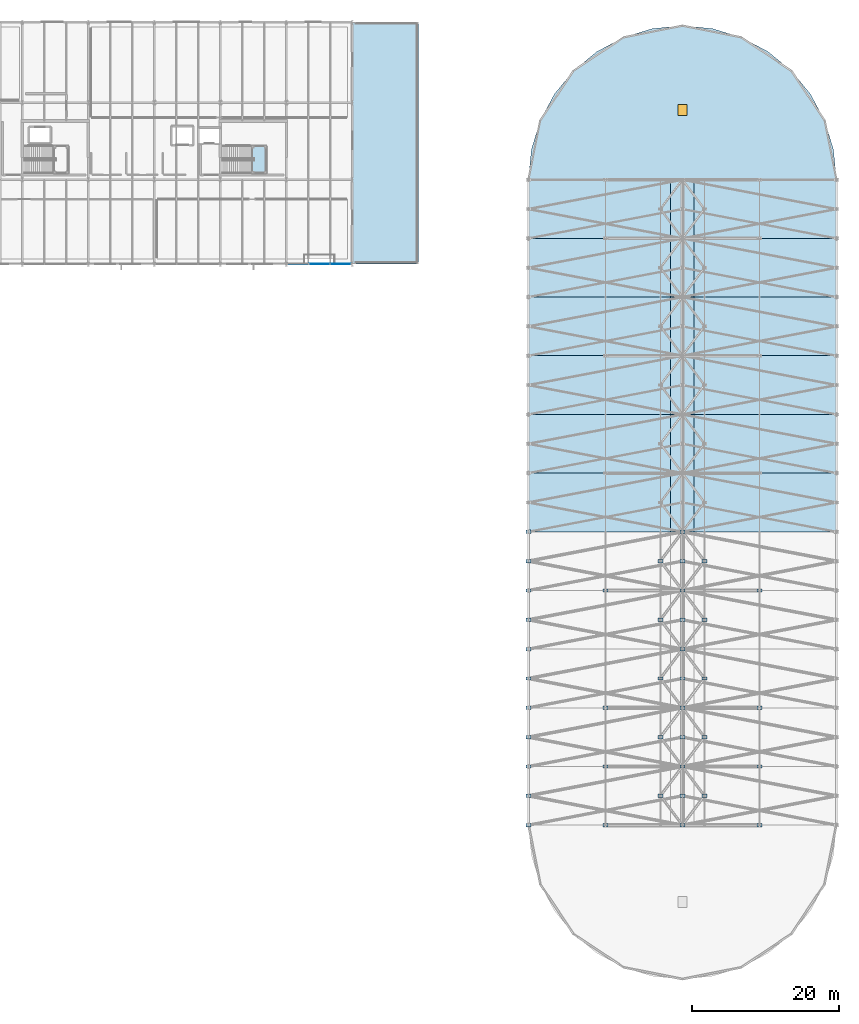
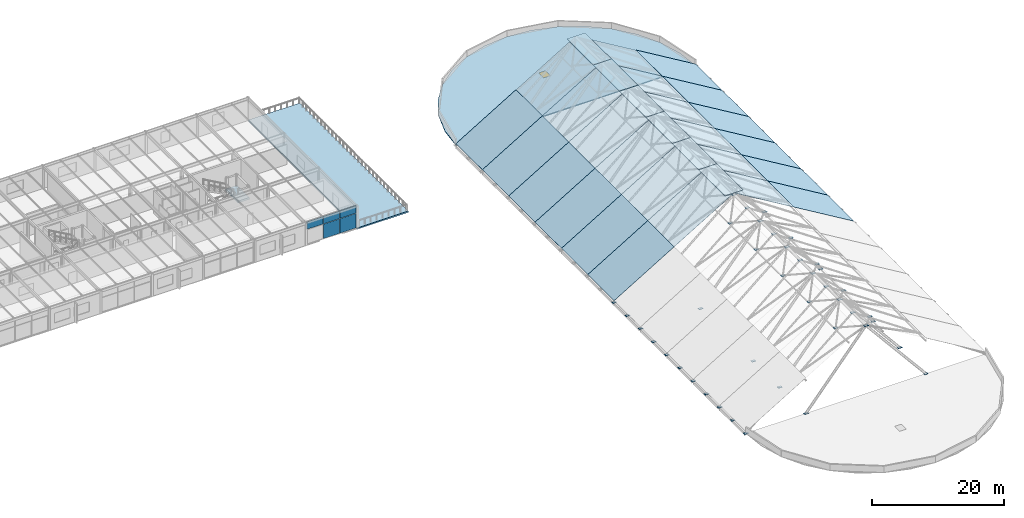
# One storey, part 15 of 44: 75 plates, 3 slabs, 1 window, 1 opening, 2 elements without a shape of their own.
"""IFC4 building model written with IfcOpenShell, lengths in metres."""

from ifc_helpers import new_model, si_unit, direction, frame, origin, origin_2d, place, context, subcontext, project, spatial, polyline, rectangle, outline, extrude, material, layer, layer_set, type_object, element, fill, aggregate, save


model = new_model("IFC4")

# Units and contexts
model_context = context("Model", 3, precision=1e-05, world=origin(), true_north=direction((0.0, 1.0)))
body_context = subcontext(model_context, "Body", "Model", "MODEL_VIEW")
ifc_project = project(units=[si_unit("LENGTHUNIT", "METRE"), si_unit("AREAUNIT", "SQUARE_METRE"), si_unit("VOLUMEUNIT", "CUBIC_METRE"), si_unit("PLANEANGLEUNIT", "RADIAN"), si_unit("MASSUNIT", "GRAM", prefix="KILO")], contexts=[model_context])

# Site, building, storey
site_placement = place(None, origin())
site = spatial("IfcSite", under=ifc_project, at=site_placement, CompositionType="ELEMENT")
building_placement = place(site_placement, origin())
building = spatial("IfcBuilding", under=site, at=building_placement, Name="Marlcrest Central Station", CompositionType="ELEMENT")
storey_placement = place(building_placement, frame((0.0, 0.0, 19.5)))
storey = spatial("IfcBuildingStorey", under=building, at=storey_placement, Name="L04", CompositionType="ELEMENT", Elevation=19.5)

# Curtain wall, plates
ifc_material_1 = material(Name="Anodised aluminium and hurricane laminated glass", Category="aluminium")
ifc_layer_1 = layer(ifc_material_1, 0.219970703125, Name="CW-U1")
ifc_layer_set_1 = layer_set([ifc_layer_1], Name="Anodised aluminium and hurricane laminated glass")
curtain_wall_type = type_object("IfcCurtainWallType", Name="CW-U1", PredefinedType="USERDEFINED", material=ifc_layer_set_1)
curtain_wall_placement = place(storey_placement, origin())
curtain_wall = element("IfcCurtainWall", 1, at=curtain_wall_placement, inside=storey, type_object=curtain_wall_type, Name="cw-L04-0170", ObjectType="UNITISED_CURTAIN_WALL", PredefinedType="USERDEFINED")
ifc_material_2 = material(Name="Acoustic triple-glazed solar-control glass", Category="glass")
ifc_layer_2 = layer(ifc_material_2, 0.0439453125, Name="CP-03")
ifc_layer_set_2 = layer_set([ifc_layer_2], Name="Acoustic triple-glazed solar-control glass")
plate_type_1 = type_object("IfcPlateType", Name="CP-03", PredefinedType="CURTAIN_PANEL", material=ifc_layer_set_2)
plate_1_placement = place(storey_placement, frame((61.39990234375, 99.030029296875, 0.080078125), z_axis=(0.0, 0.0, 1.0), x_axis=(-1.0, 0.0, 0.0)))
plate_1 = element("IfcPlate", 2, at=plate_1_placement, type_object=plate_type_1, Name="cw-L04-0170-cp-lo-0", PredefinedType="CURTAIN_PANEL", context=body_context, shape_type="SweptSolid", body=[
    extrude(rectangle(XDim=2.823974609375, YDim=0.0439453125, at=origin_2d()), origin(), (0.0, 0.0, 1.0), 2.675048828125),
])
plate_2_placement = place(storey_placement, frame((58.5, 99.030029296875, 0.080078125), z_axis=(0.0, 0.0, 1.0), x_axis=(-1.0, 0.0, 0.0)))
plate_2 = element("IfcPlate", 3, at=plate_2_placement, type_object=plate_type_1, Name="cw-L04-0170-cp-lo-1", PredefinedType="CURTAIN_PANEL", context=body_context, shape_type="SweptSolid", body=[
    extrude(rectangle(XDim=2.823974609375, YDim=0.0439453125, at=origin_2d()), origin(), (0.0, 0.0, 1.0), 2.675048828125),
])
ifc_material_3 = material(Name="Insulated acoustic spandrel panel")
ifc_layer_3 = layer(ifc_material_3, 0.074951171875, Name="CP-06")
ifc_layer_set_3 = layer_set([ifc_layer_3], Name="Insulated acoustic spandrel panel")
plate_type_2 = type_object("IfcPlateType", Name="CP-06", PredefinedType="CURTAIN_PANEL", material=ifc_layer_set_3)
plate_3_placement = place(storey_placement, frame((61.39990234375, 99.030029296875, 2.8349609375), z_axis=(0.0, 0.0, 1.0), x_axis=(-1.0, 0.0, 0.0)))
plate_3 = element("IfcPlate", 4, at=plate_3_placement, type_object=plate_type_2, Name="cw-L04-0170-cp-hi-0", PredefinedType="CURTAIN_PANEL", context=body_context, shape_type="SweptSolid", body=[
    extrude(rectangle(XDim=2.823974609375, YDim=0.074951171875, at=origin_2d()), origin(), (0.0, 0.0, 1.0), 1.385009765625),
])
plate_4_placement = place(storey_placement, frame((58.5, 99.030029296875, 2.8349609375), z_axis=(0.0, 0.0, 1.0), x_axis=(-1.0, 0.0, 0.0)))
plate_4 = element("IfcPlate", 5, at=plate_4_placement, type_object=plate_type_2, Name="cw-L04-0170-cp-hi-1", PredefinedType="CURTAIN_PANEL", context=body_context, shape_type="SweptSolid", body=[
    extrude(rectangle(XDim=2.823974609375, YDim=0.074951171875, at=origin_2d()), origin(), (0.0, 0.0, 1.0), 1.385009765625),
])
plate_5_placement = place(storey_placement, frame((55.60009765625, 99.030029296875, 2.8349609375), z_axis=(0.0, 0.0, 1.0), x_axis=(-1.0, 0.0, 0.0)))
plate_5 = element("IfcPlate", 6, at=plate_5_placement, type_object=plate_type_2, Name="cw-L04-0170-cp-hi-2", PredefinedType="CURTAIN_PANEL", context=body_context, shape_type="SweptSolid", body=[
    extrude(rectangle(XDim=2.823974609375, YDim=0.074951171875, at=origin_2d()), origin(), (0.0, 0.0, 1.0), 1.385009765625),
])
aggregate(curtain_wall, [plate_1, plate_3, plate_2, plate_4, plate_5])

# Plates
ifc_material_4 = material(Name="White intumescent Steel S355", Category="steel")
ifc_layer_4 = layer(ifc_material_4, 0.02392578125, Name="GP-04")
ifc_layer_set_4 = layer_set([ifc_layer_4], Name="White intumescent Steel S355")
plate_type_3 = type_object("IfcPlateType", Name="GP-04", PredefinedType="USERDEFINED", material=ifc_layer_set_4)
for number, where, z_axis, x_axis, name in (
    (7, (97.5, 22.5, -0.011962890625), (0.0, 0.0, 1.0), (1.0, 0.0, 0.0), "plt-cap-01214"),
    (8, (108.0, 22.5, 12.588134765625), (0.0, 0.0, 1.0), (1.0, 0.0, 0.0), "plt-cap-01215"),
    (9, (118.5, 22.5, -0.011962890625), (0.0, 0.0, 1.0), (1.0, 0.0, 0.0), "plt-cap-01216"),
    (10, (97.5, 30.5, -0.011962890625), (0.0, 0.0, 1.0), (1.0, 0.0, 0.0), "plt-cap-01217"),
    (11, (108.0, 30.5, 12.588134765625), (0.0, 0.0, 1.0), (1.0, 0.0, 0.0), "plt-cap-01218"),
    (12, (118.5, 30.5, -0.011962890625), (0.0, 0.0, 1.0), (1.0, 0.0, 0.0), "plt-cap-01219"),
    (13, (97.5, 38.5, -0.011962890625), (0.0, 0.0, 1.0), (1.0, 0.0, 0.0), "plt-cap-01220"),
    (14, (108.0, 38.5, 12.588134765625), (0.0, 0.0, 1.0), (1.0, 0.0, 0.0), "plt-cap-01221"),
    (15, (118.5, 38.5, -0.011962890625), (0.0, 0.0, 1.0), (1.0, 0.0, 0.0), "plt-cap-01222"),
    (16, (97.5, 54.5, -0.011962890625), (0.0, 0.0, 1.0), (1.0, 0.0, 0.0), "plt-cap-01223"),
    (17, (108.0, 54.5, 12.588134765625), (0.0, 0.0, 1.0), (1.0, 0.0, 0.0), "plt-cap-01224"),
    (18, (118.5, 54.5, -0.011962890625), (0.0, 0.0, 1.0), (1.0, 0.0, 0.0), "plt-cap-01225"),
    (19, (105.0, 26.5, 10.7880859375), (0.0, 0.0, 1.0), (1.0, 0.0, 0.0), "plt-cap-01238"),
    (20, (111.0, 26.5, 10.7880859375), (0.0, 0.0, 1.0), (1.0, 0.0, 0.0), "plt-cap-01239"),
    (21, (87.0, 26.5, -0.011962890625), (0.0, 0.0, 1.0), (1.0, 0.0, 0.0), "plt-cap-01240"),
    (22, (108.0, 26.5, 12.588134765625), (0.0, 0.0, 1.0), (1.0, 0.0, 0.0), "plt-cap-01241"),
    (23, (87.0, 22.5, -0.011962890625), (0.0, 0.0, 1.0), (1.0, 0.0, 0.0), "plt-cap-01242"),
    (24, (105.0, 34.5, 10.7880859375), (0.0, 0.0, 1.0), (1.0, 0.0, 0.0), "plt-cap-01250"),
    (25, (111.0, 34.5, 10.7880859375), (0.0, 0.0, 1.0), (1.0, 0.0, 0.0), "plt-cap-01251"),
    (26, (87.0, 34.5, -0.011962890625), (0.0, 0.0, 1.0), (1.0, 0.0, 0.0), "plt-cap-01252"),
    (27, (108.0, 34.5, 12.588134765625), (0.0, 0.0, 1.0), (1.0, 0.0, 0.0), "plt-cap-01253"),
    (28, (87.0, 30.5, -0.011962890625), (0.0, 0.0, 1.0), (1.0, 0.0, 0.0), "plt-cap-01254"),
    (29, (105.0, 42.5, 10.7880859375), (0.0, 0.0, 1.0), (1.0, 0.0, 0.0), "plt-cap-01262"),
    (30, (108.0, 46.5, 12.588134765625), (0.0, 0.0, 1.0), (1.0, 0.0, 0.0), "plt-cap-01263"),
    (31, (111.0, 42.5, 10.7880859375), (0.0, 0.0, 1.0), (1.0, 0.0, 0.0), "plt-cap-01264"),
    (32, (87.0, 42.5, -0.011962890625), (0.0, 0.0, 1.0), (1.0, 0.0, 0.0), "plt-cap-01265"),
    (33, (108.0, 42.5, 12.588134765625), (0.0, 0.0, 1.0), (1.0, 0.0, 0.0), "plt-cap-01266"),
    (34, (87.0, 38.5, -0.011962890625), (0.0, 0.0, 1.0), (1.0, 0.0, 0.0), "plt-cap-01267"),
    (35, (105.0, 50.5, 10.7880859375), (0.0, 0.0, 1.0), (1.0, 0.0, 0.0), "plt-cap-01275"),
    (36, (111.0, 50.5, 10.7880859375), (0.0, 0.0, 1.0), (1.0, 0.0, 0.0), "plt-cap-01276"),
    (37, (87.0, 50.5, -0.011962890625), (0.0, 0.0, 1.0), (1.0, 0.0, 0.0), "plt-cap-01277"),
    (38, (108.0, 50.5, 12.588134765625), (0.0, 0.0, 1.0), (1.0, 0.0, 0.0), "plt-cap-01278"),
    (39, (87.0, 46.5, -0.011962890625), (0.0, 0.0, 1.0), (1.0, 0.0, 0.0), "plt-cap-01279"),
    (40, (105.0, 58.5, 10.7880859375), (0.0, 0.0, 1.0), (1.0, 0.0, 0.0), "plt-cap-01287"),
    (41, (108.0, 62.5, 12.588134765625), (0.0, 0.0, 1.0), (1.0, 0.0, 0.0), "plt-cap-01288"),
    (42, (111.0, 58.5, 10.7880859375), (0.0, 0.0, 1.0), (1.0, 0.0, 0.0), "plt-cap-01289"),
    (43, (87.0, 58.5, -0.011962890625), (0.0, 0.0, 1.0), (1.0, 0.0, 0.0), "plt-cap-01290"),
    (44, (108.0, 58.5, 12.588134765625), (0.0, 0.0, 1.0), (1.0, 0.0, 0.0), "plt-cap-01291"),
    (45, (87.0, 54.5, -0.011962890625), (0.0, 0.0, 1.0), (1.0, 0.0, 0.0), "plt-cap-01292"),
    (46, (87.0, 62.5, -0.011962890625), (0.0, 0.0, 1.0), (1.0, 0.0, 0.0), "plt-cap-01304"),
):
    element("IfcPlate", number, at=place(storey_placement, frame(where, z_axis=z_axis, x_axis=x_axis)), inside=storey, type_object=plate_type_3, Name=name, ObjectType="GUSSET_PLATE", PredefinedType="USERDEFINED", context=body_context, shape_type="SweptSolid", body=[
        extrude(rectangle(XDim=0.64990234375, YDim=0.449951171875, at=origin_2d()), origin(), (0.0, 0.0, 1.0), 0.02392578125),
    ])

# Stair, slab
ifc_material_5 = material(Name="Concrete C35/45", Category="concrete")
stair_type = type_object("IfcStairType", Name="ST-HTS", PredefinedType="HALF_TURN_STAIR", material=ifc_material_5)
stair_placement = place(storey_placement, origin())
stair = element("IfcStair", 47, at=stair_placement, inside=storey, type_object=stair_type, Name="ST-W24", PredefinedType="HALF_TURN_STAIR")
ifc_layer_5 = layer(ifc_material_5, 0.320068359375, Name="LS-01")
ifc_layer_set_5 = layer_set([ifc_layer_5], Name="Concrete C35/45")
slab_type_1 = type_object("IfcSlabType", Name="LS-01", PredefinedType="LANDING", material=ifc_layer_set_5)
slab_1_placement = place(storey_placement, frame((0.0, 0.0, 1.929931640625)))
slab_1 = element("IfcSlab", 48, at=slab_1_placement, type_object=slab_type_1, Name="ST-W24-L1", PredefinedType="LANDING", context=body_context, shape_type="SweptSolid", body=[
    extrude(outline(polyline([(49.280029296875, 111.3701171875), (51.280029296875, 111.3701171875), (51.280029296875, 115.1298828125), (49.280029296875, 115.1298828125), (49.280029296875, 113.31005859375), (49.530029296875, 113.31005859375), (49.530029296875, 113.18994140625), (49.280029296875, 113.18994140625), (49.280029296875, 111.3701171875)])), origin(), (0.0, 0.0, 1.0), 0.320068359375),
])
aggregate(stair, [slab_1])

# Plates
ifc_material_6 = material(Name="Hurricane laminated solar-control glass", Category="glass")
ifc_layer_6 = layer(ifc_material_6, 0.035888671875, Name="RGS-01")
ifc_layer_set_6 = layer_set([ifc_layer_6], Name="Hurricane laminated solar-control glass")
plate_type_4 = type_object("IfcPlateType", Name="RGS-01", PredefinedType="SHEET", material=ifc_layer_set_6)
for number, where, z_axis, x_axis, name in (
    (49, (102.75927734375, 66.5, 9.69970703125), (-0.514439533782, 0.0, 0.857526656194), (0.857526656194, 0.0, 0.514439533782), "plt-rgs-01305"),
    (50, (113.24072265625, 66.5, 9.69970703125), (0.514439533782, 0.0, 0.857526656194), (0.857526656194, 0.0, -0.514439533782), "plt-rgs-01309"),
    (51, (102.75927734375, 74.5, 9.69970703125), (-0.514439533782, 0.0, 0.857526656194), (0.857526656194, 0.0, 0.514439533782), "plt-rgs-01318"),
    (52, (113.24072265625, 74.5, 9.69970703125), (0.514439533782, 0.0, 0.857526656194), (0.857526656194, 0.0, -0.514439533782), "plt-rgs-01322"),
    (53, (102.75927734375, 82.5, 9.69970703125), (-0.514439533782, 0.0, 0.857526656194), (0.857526656194, 0.0, 0.514439533782), "plt-rgs-01330"),
    (54, (113.24072265625, 82.5, 9.69970703125), (0.514439533782, 0.0, 0.857526656194), (0.857526656194, 0.0, -0.514439533782), "plt-rgs-01334"),
    (55, (102.75927734375, 90.5, 9.69970703125), (-0.514439533782, 0.0, 0.857526656194), (0.857526656194, 0.0, 0.514439533782), "plt-rgs-01343"),
    (56, (113.24072265625, 90.5, 9.69970703125), (0.514439533782, 0.0, 0.857526656194), (0.857526656194, 0.0, -0.514439533782), "plt-rgs-01347"),
    (57, (102.75927734375, 98.5, 9.69970703125), (-0.514439533782, 0.0, 0.857526656194), (0.857526656194, 0.0, 0.514439533782), "plt-rgs-01355"),
    (58, (113.24072265625, 98.5, 9.69970703125), (0.514439533782, 0.0, 0.857526656194), (0.857526656194, 0.0, -0.514439533782), "plt-rgs-01359"),
    (59, (102.75927734375, 106.5, 9.69970703125), (-0.514439533782, 0.0, 0.857526656194), (0.857526656194, 0.0, 0.514439533782), "plt-rgs-01367"),
    (60, (113.24072265625, 106.5, 9.69970703125), (0.514439533782, 0.0, 0.857526656194), (0.857526656194, 0.0, -0.514439533782), "plt-rgs-01371"),
):
    element("IfcPlate", number, at=place(storey_placement, frame(where, z_axis=z_axis, x_axis=x_axis)), inside=storey, type_object=plate_type_4, Name=name, PredefinedType="SHEET", context=body_context, shape_type="SweptSolid", body=[
        extrude(rectangle(XDim=12.260009765625, YDim=8.0, at=origin_2d()), origin(), (0.0, 0.0, 1.0), 0.035888671875),
    ])
ifc_layer_7 = layer(ifc_material_6, 0.031982421875, Name="RGS-02")
ifc_layer_set_7 = layer_set([ifc_layer_7], Name="Hurricane laminated solar-control glass")
plate_type_5 = type_object("IfcPlateType", Name="RGS-02", PredefinedType="SHEET", material=ifc_layer_set_7)
for number, where, z_axis, x_axis, name in (
    (61, (92.25830078125, 66.5, 3.4013671875), (-0.514439533782, 0.0, 0.857526656194), (0.857526656194, 0.0, 0.514439533782), "plt-rgs-01306"),
    (62, (123.74169921875, 66.5, 3.4013671875), (0.514439533782, 0.0, 0.857526656194), (0.857526656194, 0.0, -0.514439533782), "plt-rgs-01310"),
    (63, (92.25830078125, 74.5, 3.4013671875), (-0.514439533782, 0.0, 0.857526656194), (0.857526656194, 0.0, 0.514439533782), "plt-rgs-01319"),
    (64, (123.74169921875, 74.5, 3.4013671875), (0.514439533782, 0.0, 0.857526656194), (0.857526656194, 0.0, -0.514439533782), "plt-rgs-01323"),
    (65, (92.25830078125, 82.5, 3.4013671875), (-0.514439533782, 0.0, 0.857526656194), (0.857526656194, 0.0, 0.514439533782), "plt-rgs-01331"),
    (66, (123.74169921875, 82.5, 3.4013671875), (0.514439533782, 0.0, 0.857526656194), (0.857526656194, 0.0, -0.514439533782), "plt-rgs-01335"),
    (67, (92.25830078125, 90.5, 3.4013671875), (-0.514439533782, 0.0, 0.857526656194), (0.857526656194, 0.0, 0.514439533782), "plt-rgs-01344"),
    (68, (123.74169921875, 90.5, 3.4013671875), (0.514439533782, 0.0, 0.857526656194), (0.857526656194, 0.0, -0.514439533782), "plt-rgs-01348"),
    (69, (92.25830078125, 98.5, 3.4013671875), (-0.514439533782, 0.0, 0.857526656194), (0.857526656194, 0.0, 0.514439533782), "plt-rgs-01356"),
    (70, (123.74169921875, 98.5, 3.4013671875), (0.514439533782, 0.0, 0.857526656194), (0.857526656194, 0.0, -0.514439533782), "plt-rgs-01360"),
    (71, (92.25830078125, 106.5, 3.4013671875), (-0.514439533782, 0.0, 0.857526656194), (0.857526656194, 0.0, 0.514439533782), "plt-rgs-01368"),
    (72, (123.74169921875, 106.5, 3.4013671875), (0.514439533782, 0.0, 0.857526656194), (0.857526656194, 0.0, -0.514439533782), "plt-rgs-01372"),
):
    element("IfcPlate", number, at=place(storey_placement, frame(where, z_axis=z_axis, x_axis=x_axis)), inside=storey, type_object=plate_type_5, Name=name, PredefinedType="SHEET", context=body_context, shape_type="SweptSolid", body=[
        extrude(rectangle(XDim=12.280029296875, YDim=8.0, at=origin_2d()), origin(), (0.0, 0.0, 1.0), 0.031982421875),
    ])
ifc_layer_8 = layer(ifc_material_6, 0.0380859375, Name="RGS-03")
ifc_layer_set_8 = layer_set([ifc_layer_8], Name="Hurricane laminated solar-control glass")
plate_type_6 = type_object("IfcPlateType", Name="RGS-03", PredefinedType="SHEET", material=ifc_layer_set_8)
for number, where, z_axis, x_axis, name in (
    (73, (108.0, 66.5, 12.85400390625), (0.0, 0.0, 1.0), (1.0, 0.0, 0.0), "plt-rgs-01311"),
    (74, (108.0, 74.5, 12.85400390625), (0.0, 0.0, 1.0), (1.0, 0.0, 0.0), "plt-rgs-01324"),
    (75, (108.0, 82.5, 12.85400390625), (0.0, 0.0, 1.0), (1.0, 0.0, 0.0), "plt-rgs-01336"),
    (76, (108.0, 90.5, 12.85400390625), (0.0, 0.0, 1.0), (1.0, 0.0, 0.0), "plt-rgs-01349"),
    (77, (108.0, 98.5, 12.85400390625), (0.0, 0.0, 1.0), (1.0, 0.0, 0.0), "plt-rgs-01361"),
    (78, (108.0, 106.5, 12.85400390625), (0.0, 0.0, 1.0), (1.0, 0.0, 0.0), "plt-rgs-01373"),
):
    element("IfcPlate", number, at=place(storey_placement, frame(where, z_axis=z_axis, x_axis=x_axis)), inside=storey, type_object=plate_type_6, Name=name, PredefinedType="SHEET", context=body_context, shape_type="SweptSolid", body=[
        extrude(rectangle(XDim=3.199951171875, YDim=8.0, at=origin_2d()), origin(), (0.0, 0.0, 1.0), 0.0380859375),
    ])

# Slab, opening, window
ifc_material_7 = material(Name="Concrete C40/50", Category="concrete")
ifc_layer_9 = layer(ifc_material_7, 0.169921875, Name="RS-03")
ifc_layer_set_9 = layer_set([ifc_layer_9], Name="Concrete C40/50")
slab_type_2 = type_object("IfcSlabType", Name="RS-03", PredefinedType="ROOF", material=ifc_layer_set_9)
slab_2_placement = place(storey_placement, frame((0.0, 0.0, -0.169921875)))
slab_2 = element("IfcSlab", 79, at=slab_2_placement, inside=storey, type_object=slab_type_2, Name="slab-L04-0096", PredefinedType="ROOF", context=body_context, shape_type="SweptSolid", body=[
    extrude(outline(polyline([(87.0, 110.5), (87.404052734375, 114.596923828125), (88.59912109375, 118.535888671875), (90.5390625, 122.1669921875), (93.15087890625, 125.34912109375), (96.3330078125, 127.9609375), (99.964111328125, 129.90087890625), (103.903076171875, 131.095947265625), (108.0, 131.5), (112.096923828125, 131.095947265625), (116.035888671875, 129.90087890625), (119.6669921875, 127.9609375), (122.84912109375, 125.34912109375), (125.4609375, 122.1669921875), (127.40087890625, 118.535888671875), (128.595947265625, 114.596923828125), (129.0, 110.5), (87.0, 110.5)]), holes=[polyline([(107.39990234375, 119.25), (108.60009765625, 119.25), (108.60009765625, 120.75), (107.39990234375, 120.75), (107.39990234375, 119.25)])]), origin(), (0.0, 0.0, 1.0), 0.169921875),
])
opening_placement = place(slab_2_placement, frame((108.0, 120.0, 0.0)))
opening = element("IfcOpeningElement", 80, at=opening_placement, cuts=slab_2, Name="Opening RH-01", PredefinedType="OPENING", context=body_context, shape_type="SweptSolid", body=[
    extrude(rectangle(XDim=1.199951171875, YDim=1.5, at=origin_2d()), origin(), (0.0, 0.0, 1.0), 0.169921875),
])
ifc_material_8 = material(Name="Thermally broken bronze-anodised aluminium and laminated low-E glass", Category="aluminium")
window_type = type_object("IfcWindowType", Name="RH-01", PartitioningType="SINGLE_PANEL", PredefinedType="LIGHTDOME", material=ifc_material_8)
window_placement = place(opening_placement, frame((0.0, 0.0, 0.119873046875)))
window = element("IfcWindow", 81, at=window_placement, inside=storey, type_object=window_type, Name="hatch-v2-2", OverallHeight=1.5, OverallWidth=1.199951171875, PartitioningType="SINGLE_PANEL", PredefinedType="LIGHTDOME", context=body_context, shape_type="SweptSolid", body=[
    extrude(rectangle(XDim=1.199951171875, YDim=1.5, at=origin_2d()), origin(), (0.0, 0.0, 1.0), 0.050048828125),
])
fill(opening, window)

# Slab
ifc_layer_10 = layer(ifc_material_7, 0.260009765625, Name="TS-02")
ifc_layer_set_10 = layer_set([ifc_layer_10], Name="Concrete C40/50")
slab_type_3 = type_object("IfcSlabType", Name="TS-02", PredefinedType="FLOOR", material=ifc_layer_set_10)
slab_3_placement = place(storey_placement, frame((0.0, 0.0, -0.260009765625)))
element("IfcSlab", 82, at=slab_3_placement, inside=storey, type_object=slab_type_3, Name="slab-L04-0008", PredefinedType="FLOOR", context=body_context, shape_type="SweptSolid", body=[
    extrude(outline(polyline([(72.0, 132.0), (72.0, 99.0), (63.0, 99.0), (63.0, 132.0), (72.0, 132.0)])), origin(), (0.0, 0.0, 1.0), 0.260009765625),
])

save(model, "model.ifc")
